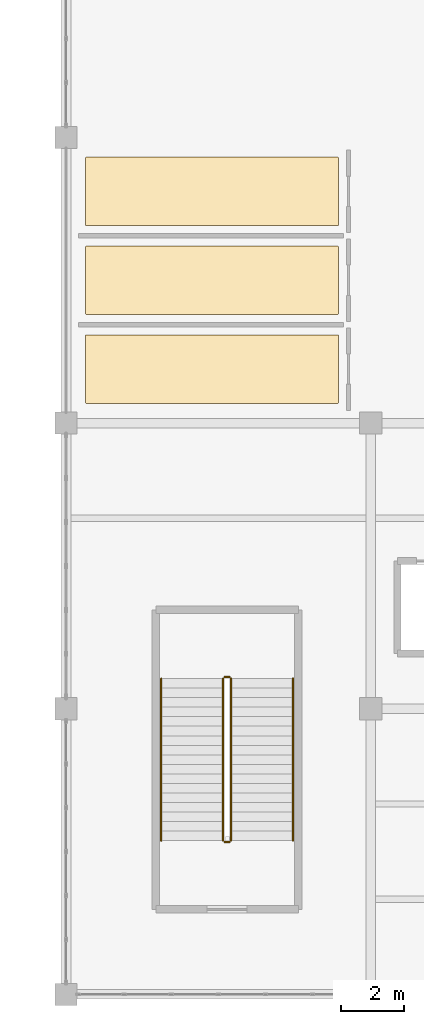
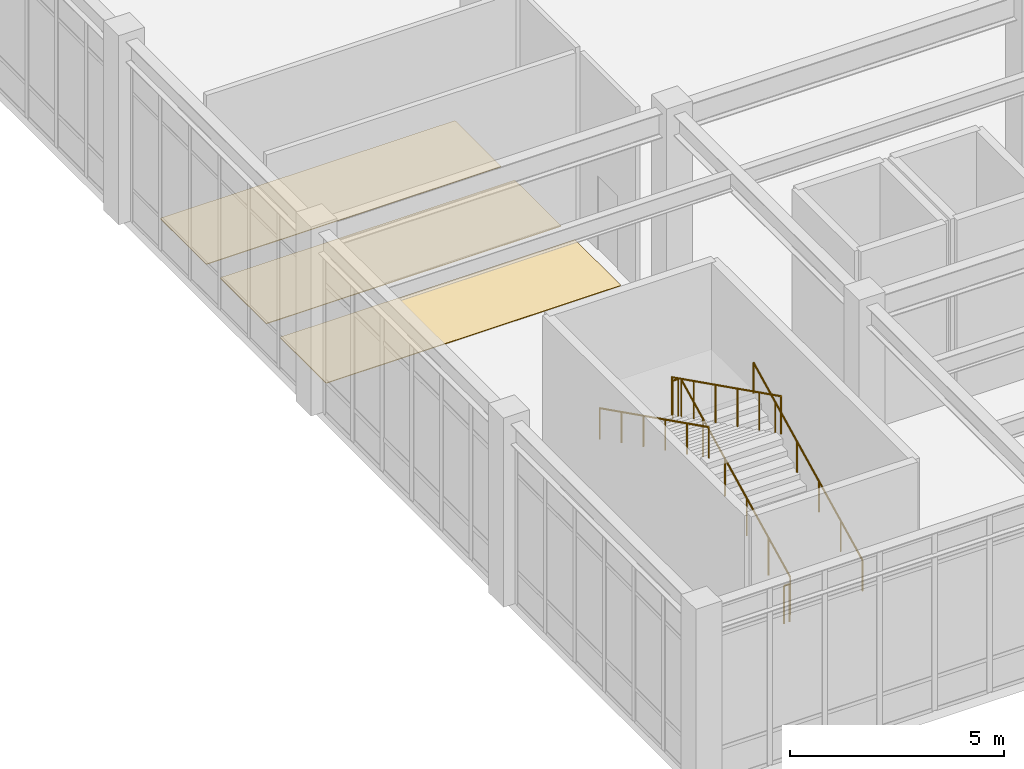
# One storey, part 74 of 80: 6 railings, 3 coverings.
"""IFC4 building model written with IfcOpenShell, lengths in metres."""

from ifc_helpers import new_model, si_unit, direction, frame, origin, origin_2d, place, context, subcontext, project, spatial, polyline, circle, outline, extrude, material, layer, layer_set, type_object, element, save


model = new_model("IFC4")

# Units and contexts
model_context = context("Model", 3, precision=1e-05, world=origin(), true_north=direction((0.0, 1.0)))
body_context = subcontext(model_context, "Body", "Model", "MODEL_VIEW")
ifc_project = project(units=[si_unit("LENGTHUNIT", "METRE"), si_unit("AREAUNIT", "SQUARE_METRE"), si_unit("VOLUMEUNIT", "CUBIC_METRE"), si_unit("PLANEANGLEUNIT", "RADIAN"), si_unit("MASSUNIT", "GRAM", prefix="KILO")], contexts=[model_context])

# Site, building, storey
site_placement = place(None, origin())
site = spatial("IfcSite", under=ifc_project, at=site_placement, CompositionType="ELEMENT")
building_placement = place(site_placement, origin())
building = spatial("IfcBuilding", under=site, at=building_placement, Name="Canglan Escarpment Cableway Terminal", CompositionType="ELEMENT")
storey_placement = place(building_placement, frame((0.0, 0.0, 19.199951171875)))
storey = spatial("IfcBuildingStorey", under=building, at=storey_placement, Name="L04", CompositionType="ELEMENT", Elevation=19.199951171875)

# Coverings
ifc_material_1 = material(Name="Polished mineral terrazzo flooring", Category="concrete")
ifc_layer = layer(ifc_material_1, 0.02001953125, Name="Polished mineral terrazzo flooring")
ifc_layer_set = layer_set([ifc_layer], Name="Polished mineral terrazzo flooring")
covering_type = type_object("IfcCoveringType", Name="COV-FLR-TERRAZZO-20", PredefinedType="FLOORING", material=ifc_layer_set)
covering_1_placement = place(storey_placement, origin())
element("IfcCovering", 1, at=covering_1_placement, inside=storey, type_object=covering_type, Name="Accessible WC stone floor finish", PredefinedType="FLOORING", context=body_context, shape_type="SweptSolid", body=[
    extrude(outline(polyline([(138.239990234375, 52.6201171875), (138.238037109375, 52.6201171875), (138.236083984375, 52.620361328125), (138.234130859375, 52.620849609375), (138.232421875, 52.62158203125), (138.230712890625, 52.622314453125), (138.22900390625, 52.623291015625), (138.227294921875, 52.62451171875), (138.225830078125, 52.6259765625), (138.224609375, 52.627197265625), (138.223388671875, 52.62890625), (138.222412109375, 52.630615234375), (138.221435546875, 52.63232421875), (138.220947265625, 52.63427734375), (138.220458984375, 52.635986328125), (138.22021484375, 52.637939453125), (138.219970703125, 52.639892578125), (138.219970703125, 54.760009765625), (138.22021484375, 54.761962890625), (138.220458984375, 54.763916015625), (138.220947265625, 54.765869140625), (138.221435546875, 54.767578125), (138.222412109375, 54.769287109375), (138.223388671875, 54.77099609375), (138.224609375, 54.772705078125), (138.225830078125, 54.774169921875), (138.227294921875, 54.775390625), (138.22900390625, 54.776611328125), (138.230712890625, 54.777587890625), (138.232421875, 54.778564453125), (138.234130859375, 54.779052734375), (138.236083984375, 54.779541015625), (138.238037109375, 54.77978515625), (138.239990234375, 54.780029296875), (146.159912109375, 54.780029296875), (146.162109375, 54.77978515625), (146.163818359375, 54.779541015625), (146.165771484375, 54.779052734375), (146.167724609375, 54.778564453125), (146.16943359375, 54.777587890625), (146.171142578125, 54.776611328125), (146.172607421875, 54.775390625), (146.174072265625, 54.774169921875), (146.175537109375, 54.772705078125), (146.176513671875, 54.77099609375), (146.177490234375, 54.769287109375), (146.178466796875, 54.767578125), (146.17919921875, 54.765869140625), (146.1796875, 54.763916015625), (146.179931640625, 54.761962890625), (146.179931640625, 54.760009765625), (146.179931640625, 52.639892578125), (146.179931640625, 52.637939453125), (146.1796875, 52.635986328125), (146.17919921875, 52.63427734375), (146.178466796875, 52.63232421875), (146.177490234375, 52.630615234375), (146.176513671875, 52.62890625), (146.175537109375, 52.627197265625), (146.174072265625, 52.6259765625), (146.172607421875, 52.62451171875), (146.171142578125, 52.623291015625), (146.16943359375, 52.622314453125), (146.167724609375, 52.62158203125), (146.165771484375, 52.620849609375), (146.163818359375, 52.620361328125), (146.162109375, 52.6201171875), (146.159912109375, 52.6201171875), (138.239990234375, 52.6201171875)])), origin(), (0.0, 0.0, 1.0), 0.02001953125),
])
covering_2_placement = place(storey_placement, origin())
element("IfcCovering", 2, at=covering_2_placement, inside=storey, type_object=covering_type, Name="Male WC stone floor finish", PredefinedType="FLOORING", context=body_context, shape_type="SweptSolid", body=[
    extrude(outline(polyline([(138.219970703125, 57.56005859375), (138.22021484375, 57.56201171875), (138.220458984375, 57.56396484375), (138.220947265625, 57.56591796875), (138.221435546875, 57.567626953125), (138.222412109375, 57.5693359375), (138.223388671875, 57.571044921875), (138.224609375, 57.57275390625), (138.225830078125, 57.57421875), (138.227294921875, 57.575439453125), (138.22900390625, 57.57666015625), (138.230712890625, 57.57763671875), (138.232421875, 57.57861328125), (138.234130859375, 57.5791015625), (138.236083984375, 57.57958984375), (138.238037109375, 57.579833984375), (138.239990234375, 57.580078125), (146.159912109375, 57.580078125), (146.162109375, 57.579833984375), (146.163818359375, 57.57958984375), (146.165771484375, 57.5791015625), (146.167724609375, 57.57861328125), (146.16943359375, 57.57763671875), (146.171142578125, 57.57666015625), (146.172607421875, 57.575439453125), (146.174072265625, 57.57421875), (146.175537109375, 57.57275390625), (146.176513671875, 57.571044921875), (146.177490234375, 57.5693359375), (146.178466796875, 57.567626953125), (146.17919921875, 57.56591796875), (146.1796875, 57.56396484375), (146.179931640625, 57.56201171875), (146.179931640625, 57.56005859375), (146.179931640625, 55.43994140625), (146.179931640625, 55.43798828125), (146.1796875, 55.43603515625), (146.17919921875, 55.43408203125), (146.178466796875, 55.432373046875), (146.177490234375, 55.4306640625), (146.176513671875, 55.428955078125), (146.175537109375, 55.42724609375), (146.174072265625, 55.42578125), (146.172607421875, 55.424560546875), (146.171142578125, 55.42333984375), (146.16943359375, 55.42236328125), (146.167724609375, 55.42138671875), (146.165771484375, 55.4208984375), (146.163818359375, 55.42041015625), (146.162109375, 55.420166015625), (146.159912109375, 55.419921875), (138.239990234375, 55.419921875), (138.238037109375, 55.420166015625), (138.236083984375, 55.42041015625), (138.234130859375, 55.4208984375), (138.232421875, 55.42138671875), (138.230712890625, 55.42236328125), (138.22900390625, 55.42333984375), (138.227294921875, 55.424560546875), (138.225830078125, 55.42578125), (138.224609375, 55.42724609375), (138.223388671875, 55.428955078125), (138.222412109375, 55.4306640625), (138.221435546875, 55.432373046875), (138.220947265625, 55.43408203125), (138.220458984375, 55.43603515625), (138.22021484375, 55.43798828125), (138.219970703125, 55.43994140625), (138.219970703125, 57.56005859375)])), origin(), (0.0, 0.0, 1.0), 0.02001953125),
])
covering_3_placement = place(storey_placement, origin())
element("IfcCovering", 3, at=covering_3_placement, inside=storey, type_object=covering_type, Name="Female WC stone floor finish", PredefinedType="FLOORING", context=body_context, shape_type="SweptSolid", body=[
    extrude(outline(polyline([(138.219970703125, 60.360107421875), (138.22021484375, 60.362060546875), (138.220458984375, 60.364013671875), (138.220947265625, 60.36572265625), (138.221435546875, 60.36767578125), (138.222412109375, 60.369384765625), (138.223388671875, 60.37109375), (138.224609375, 60.372802734375), (138.225830078125, 60.3740234375), (138.227294921875, 60.37548828125), (138.22900390625, 60.376708984375), (138.230712890625, 60.377685546875), (138.232421875, 60.37841796875), (138.234130859375, 60.379150390625), (138.236083984375, 60.379638671875), (138.238037109375, 60.3798828125), (138.239990234375, 60.3798828125), (146.159912109375, 60.3798828125), (146.162109375, 60.3798828125), (146.163818359375, 60.379638671875), (146.165771484375, 60.379150390625), (146.167724609375, 60.37841796875), (146.16943359375, 60.377685546875), (146.171142578125, 60.376708984375), (146.172607421875, 60.37548828125), (146.174072265625, 60.3740234375), (146.175537109375, 60.372802734375), (146.176513671875, 60.37109375), (146.177490234375, 60.369384765625), (146.178466796875, 60.36767578125), (146.17919921875, 60.36572265625), (146.1796875, 60.364013671875), (146.179931640625, 60.362060546875), (146.179931640625, 60.360107421875), (146.179931640625, 58.239990234375), (146.179931640625, 58.238037109375), (146.1796875, 58.236083984375), (146.17919921875, 58.234130859375), (146.178466796875, 58.232421875), (146.177490234375, 58.230712890625), (146.176513671875, 58.22900390625), (146.175537109375, 58.227294921875), (146.174072265625, 58.225830078125), (146.172607421875, 58.224609375), (146.171142578125, 58.223388671875), (146.16943359375, 58.222412109375), (146.167724609375, 58.221435546875), (146.165771484375, 58.220947265625), (146.163818359375, 58.220458984375), (146.162109375, 58.22021484375), (146.159912109375, 58.219970703125), (138.239990234375, 58.219970703125), (138.238037109375, 58.22021484375), (138.236083984375, 58.220458984375), (138.234130859375, 58.220947265625), (138.232421875, 58.221435546875), (138.230712890625, 58.222412109375), (138.22900390625, 58.223388671875), (138.227294921875, 58.224609375), (138.225830078125, 58.225830078125), (138.224609375, 58.227294921875), (138.223388671875, 58.22900390625), (138.222412109375, 58.230712890625), (138.221435546875, 58.232421875), (138.220947265625, 58.234130859375), (138.220458984375, 58.236083984375), (138.22021484375, 58.238037109375), (138.219970703125, 58.239990234375), (138.219970703125, 60.360107421875)])), origin(), (0.0, 0.0, 1.0), 0.02001953125),
])

# Railings
ifc_material_2 = material(Name="Powder-coated steel stair balustrade", Category="steel")
railing_type_1 = type_object("IfcRailingType", Name="RL-STR-GUARD-1100", PredefinedType="BALUSTRADE", material=ifc_material_2)
railing_1_placement = place(storey_placement, frame((142.800048828125, 38.85009765625, 0.150146484375)))
element("IfcRailing", 4, at=railing_1_placement, inside=storey, type_object=railing_type_1, Name="L04 ST-13 stair guard 1", PredefinedType="BALUSTRADE", context=body_context, shape_type="SweptSolid", body=[
    extrude(circle(Radius=0.02392578125, at=origin_2d()), frame((0.0, 0.0, 1.076171875), z_axis=(0.0, 0.894435754537, 0.447196468016), x_axis=(-1.0, 0.0, 0.0)), (0.0, 0.0, 1.0), 5.70166015625),
    extrude(circle(Radius=0.02099609375, at=origin_2d()), origin(), (0.0, 0.0, 1.0), 1.052001953125),
    extrude(circle(Radius=0.02099609375, at=origin_2d()), frame((0.0, 1.02001953125, 0.510009765625)), (0.0, 0.0, 1.0), 1.052001953125),
    extrude(circle(Radius=0.02099609375, at=origin_2d()), frame((0.0, 2.0400390625, 1.02001953125)), (0.0, 0.0, 1.0), 1.052001953125),
    extrude(circle(Radius=0.02099609375, at=origin_2d()), frame((0.0, 3.059814453125, 1.52978515625)), (0.0, 0.0, 1.0), 1.052001953125),
    extrude(circle(Radius=0.02099609375, at=origin_2d()), frame((0.0, 4.079833984375, 2.039794921875)), (0.0, 0.0, 1.0), 1.052001953125),
    extrude(circle(Radius=0.02099609375, at=origin_2d()), frame((0.0, 5.099853515625, 2.5498046875)), (0.0, 0.0, 1.0), 1.052001953125),
])
railing_2_placement = place(storey_placement, frame((142.75, 44.0, 2.699951171875)))
element("IfcRailing", 5, at=railing_2_placement, inside=storey, type_object=railing_type_1, Name="L04 ST-13 stair guard 2", PredefinedType="BALUSTRADE", context=body_context, shape_type="SweptSolid", body=[
    extrude(circle(Radius=0.02392578125, at=origin_2d()), frame((0.0, 0.0, 1.076171875), z_axis=(-1.0, 0.0, 0.0), x_axis=(0.0, -1.0, 0.0)), (0.0, 0.0, 1.0), 0.14990234375),
    extrude(circle(Radius=0.02099609375, at=origin_2d()), origin(), (0.0, 0.0, 1.0), 1.052001953125),
    extrude(circle(Radius=0.02099609375, at=origin_2d()), frame((-0.14990234375, 0.0, 0.0)), (0.0, 0.0, 1.0), 1.052001953125),
])
railing_3_placement = place(storey_placement, frame((142.550048828125, 43.949951171875, 2.85009765625)))
element("IfcRailing", 6, at=railing_3_placement, inside=storey, type_object=railing_type_1, Name="L04 ST-13 stair guard 3", PredefinedType="BALUSTRADE", context=body_context, shape_type="SweptSolid", body=[
    extrude(circle(Radius=0.02392578125, at=origin_2d()), frame((0.0, 0.0, 1.076171875), z_axis=(0.0, -0.894418627299, 0.447230722492), x_axis=(1.0, 0.0, 0.0)), (0.0, 0.0, 1.0), 5.701904296875),
    extrude(circle(Radius=0.02099609375, at=origin_2d()), origin(), (0.0, 0.0, 1.0), 1.052001953125),
    extrude(circle(Radius=0.02099609375, at=origin_2d()), frame((0.0, -1.02001953125, 0.510009765625)), (0.0, 0.0, 1.0), 1.052001953125),
    extrude(circle(Radius=0.02099609375, at=origin_2d()), frame((0.0, -2.0400390625, 1.02001953125)), (0.0, 0.0, 1.0), 1.052001953125),
    extrude(circle(Radius=0.02099609375, at=origin_2d()), frame((0.0, -3.059814453125, 1.530029296875)), (0.0, 0.0, 1.0), 1.052001953125),
    extrude(circle(Radius=0.02099609375, at=origin_2d()), frame((0.0, -4.079833984375, 2.0400390625)), (0.0, 0.0, 1.0), 1.052001953125),
    extrude(circle(Radius=0.02099609375, at=origin_2d()), frame((0.0, -5.099853515625, 2.550048828125)), (0.0, 0.0, 1.0), 1.052001953125),
])
railing_4_placement = place(storey_placement, frame((142.75, 38.800048828125, 0.0)))
element("IfcRailing", 7, at=railing_4_placement, inside=storey, type_object=railing_type_1, Name="L04 ST-13 stair guard 4", PredefinedType="BALUSTRADE", context=body_context, shape_type="SweptSolid", body=[
    extrude(circle(Radius=0.02392578125, at=origin_2d()), frame((0.0, 0.0, 1.076171875), z_axis=(-1.0, 0.0, 0.0), x_axis=(0.0, -1.0, 0.0)), (0.0, 0.0, 1.0), 0.14990234375),
    extrude(circle(Radius=0.02099609375, at=origin_2d()), origin(), (0.0, 0.0, 1.0), 1.052001953125),
    extrude(circle(Radius=0.02099609375, at=origin_2d()), frame((-0.14990234375, 0.0, 0.0)), (0.0, 0.0, 1.0), 1.052001953125),
])
ifc_material_3 = material(Name="Brushed stainless steel 304 handrail", Category="steel")
railing_type_2 = type_object("IfcRailingType", Name="RL-STR-HR-900", PredefinedType="HANDRAIL", material=ifc_material_3)
railing_5_placement = place(storey_placement, frame((144.75, 38.85009765625, 0.150146484375)))
element("IfcRailing", 8, at=railing_5_placement, inside=storey, type_object=railing_type_2, Name="L04 ST-13 stair handrail 1", PredefinedType="HANDRAIL", context=body_context, shape_type="SweptSolid", body=[
    extrude(circle(Radius=0.02392578125, at=origin_2d()), frame((0.0, 0.0, 0.8759765625), z_axis=(0.0, 0.894435754537, 0.447196468016), x_axis=(-1.0, 0.0, 0.0)), (0.0, 0.0, 1.0), 5.70166015625),
    extrude(circle(Radius=0.02099609375, at=origin_2d()), origin(), (0.0, 0.0, 1.0), 0.851806640625),
    extrude(circle(Radius=0.02099609375, at=origin_2d()), frame((0.0, 1.02001953125, 0.510009765625)), (0.0, 0.0, 1.0), 0.851806640625),
    extrude(circle(Radius=0.02099609375, at=origin_2d()), frame((0.0, 2.0400390625, 1.02001953125)), (0.0, 0.0, 1.0), 0.851806640625),
    extrude(circle(Radius=0.02099609375, at=origin_2d()), frame((0.0, 3.059814453125, 1.52978515625)), (0.0, 0.0, 1.0), 0.851806640625),
    extrude(circle(Radius=0.02099609375, at=origin_2d()), frame((0.0, 4.079833984375, 2.039794921875)), (0.0, 0.0, 1.0), 0.851806640625),
    extrude(circle(Radius=0.02099609375, at=origin_2d()), frame((0.0, 5.099853515625, 2.5498046875)), (0.0, 0.0, 1.0), 0.851806640625),
])
railing_6_placement = place(storey_placement, frame((140.60009765625, 43.949951171875, 2.85009765625)))
element("IfcRailing", 9, at=railing_6_placement, inside=storey, type_object=railing_type_2, Name="L04 ST-13 stair handrail 2", PredefinedType="HANDRAIL", context=body_context, shape_type="SweptSolid", body=[
    extrude(circle(Radius=0.02392578125, at=origin_2d()), frame((0.0, 0.0, 0.8759765625), z_axis=(0.0, -0.894418627299, 0.447230722492), x_axis=(1.0, 0.0, 0.0)), (0.0, 0.0, 1.0), 5.701904296875),
    extrude(circle(Radius=0.02099609375, at=origin_2d()), origin(), (0.0, 0.0, 1.0), 0.851806640625),
    extrude(circle(Radius=0.02099609375, at=origin_2d()), frame((0.0, -1.02001953125, 0.510009765625)), (0.0, 0.0, 1.0), 0.851806640625),
    extrude(circle(Radius=0.02099609375, at=origin_2d()), frame((0.0, -2.0400390625, 1.02001953125)), (0.0, 0.0, 1.0), 0.851806640625),
    extrude(circle(Radius=0.02099609375, at=origin_2d()), frame((0.0, -3.059814453125, 1.530029296875)), (0.0, 0.0, 1.0), 0.851806640625),
    extrude(circle(Radius=0.02099609375, at=origin_2d()), frame((0.0, -4.079833984375, 2.0400390625)), (0.0, 0.0, 1.0), 0.851806640625),
    extrude(circle(Radius=0.02099609375, at=origin_2d()), frame((0.0, -5.099853515625, 2.550048828125)), (0.0, 0.0, 1.0), 0.851806640625),
])

save(model, "model.ifc")
